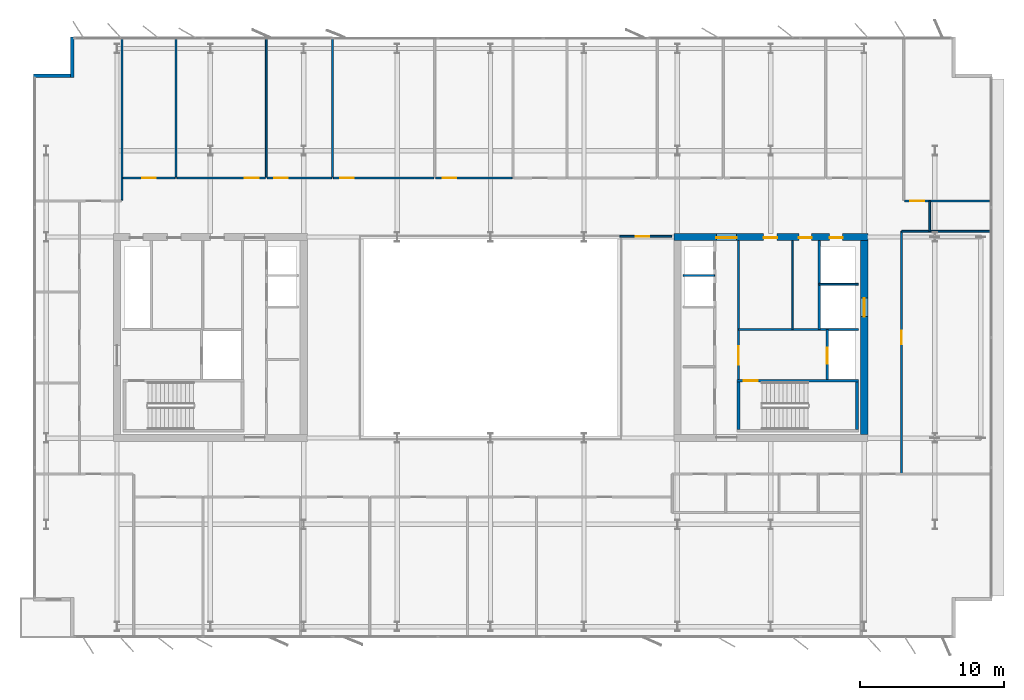
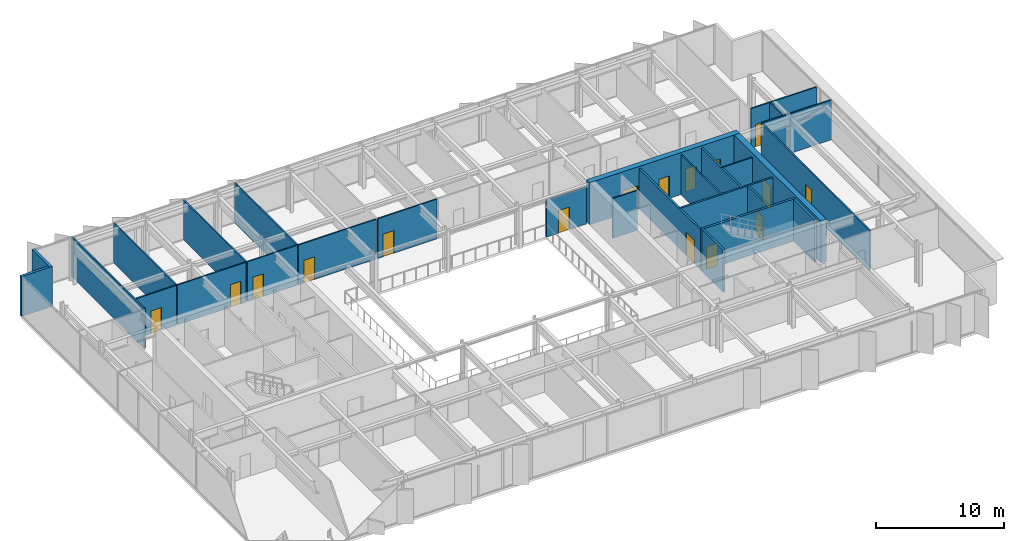
# One storey, part 15 of 20: 28 walls, 16 doors, 16 openings.
"""IFC4 building model written with IfcOpenShell, lengths in metres."""

from ifc_helpers import new_model, si_unit, direction, frame, frame_2d, origin, place, context, subcontext, project, spatial, rectangle, extrude, material, layer, layer_set, type_object, element, fill, save


model = new_model("IFC4")

# Units and contexts
model_context = context("Model", 3, precision=1e-05, world=origin(), true_north=direction((0.0, 1.0)))
body_context = subcontext(model_context, "Body", "Model", "MODEL_VIEW")
ifc_project = project(units=[si_unit("LENGTHUNIT", "METRE"), si_unit("AREAUNIT", "SQUARE_METRE"), si_unit("VOLUMEUNIT", "CUBIC_METRE"), si_unit("PLANEANGLEUNIT", "RADIAN"), si_unit("MASSUNIT", "GRAM", prefix="KILO")], contexts=[model_context])

# Site, building, storey
site_placement = place(None, origin())
site = spatial("IfcSite", under=ifc_project, at=site_placement, CompositionType="ELEMENT")
building_placement = place(site_placement, origin())
building = spatial("IfcBuilding", under=site, at=building_placement, Name="Putna Gate Headquarters", CompositionType="ELEMENT")
storey_placement = place(building_placement, frame((0.0, 0.0, 298.39990234375)))
storey = spatial("IfcBuildingStorey", under=building, at=storey_placement, Name="L75", CompositionType="ELEMENT", Elevation=298.39990234375)

# Wall, openings, doors
ifc_material_1 = material(Name="Concrete C50/60", Category="concrete")
ifc_layer_1 = layer(ifc_material_1, 0.5)
ifc_layer_set_1 = layer_set([ifc_layer_1], Name="Concrete C50/60")
wall_type_1 = type_object("IfcWallType", Name="WALL-CORE-500", PredefinedType="SHEAR", material=ifc_layer_set_1)
wall_1_placement = place(storey_placement, frame((51.75, 33.0, 0.0), z_axis=(0.0, 0.0, 1.0), x_axis=(1.0, 0.0, 0.0)))
wall_1 = element("IfcWall", 1, at=wall_1_placement, inside=storey, type_object=wall_type_1, Name="L75 EC Split Core Shear Wall N", PredefinedType="SHEAR", context=body_context, shape_type="SweptSolid", body=[
    extrude(rectangle(XDim=13.5, YDim=0.5, at=frame_2d((6.75, 0.0))), origin(), (0.0, 0.0, 1.0), 4.0),
])
opening_1_placement = place(wall_1_placement, frame((2.969970703125, 0.0, 0.0)))
opening_1 = element("IfcOpeningElement", 2, at=opening_1_placement, cuts=wall_1, Name="Opening FDD-140", PredefinedType="OPENING", context=body_context, shape_type="SweptSolid", body=[
    extrude(rectangle(XDim=1.39990234375, YDim=2.199951171875, at=frame_2d((0.699951171875, 1.10009765625))), frame((0.0, 0.260009765625, 0.0), z_axis=(0.0, -1.0, 0.0), x_axis=(1.0, 0.0, 0.0)), (0.0, 0.0, 1.0), 0.52001953125),
])
opening_2_placement = place(wall_1_placement, frame((10.85009765625, 0.0, 0.0)))
opening_2 = element("IfcOpeningElement", 3, at=opening_2_placement, cuts=wall_1, Name="Opening RD-90", PredefinedType="OPENING", context=body_context, shape_type="SweptSolid", body=[
    extrude(rectangle(XDim=0.89990234375, YDim=2.14990234375, at=frame_2d((0.449951171875, 1.074951171875))), frame((0.0, 0.260009765625, 0.0), z_axis=(0.0, -1.0, 0.0), x_axis=(1.0, 0.0, 0.0)), (0.0, 0.0, 1.0), 0.52001953125),
])
opening_3_placement = place(wall_1_placement, frame((6.25, 0.0, 0.0)))
opening_3 = element("IfcOpeningElement", 4, at=opening_3_placement, cuts=wall_1, Name="Opening IDS-95", PredefinedType="OPENING", context=body_context, shape_type="SweptSolid", body=[
    extrude(rectangle(XDim=0.949951171875, YDim=2.14990234375, at=frame_2d((0.47509765625, 1.074951171875))), frame((0.0, 0.260009765625, 0.0), z_axis=(0.0, -1.0, 0.0), x_axis=(1.0, 0.0, 0.0)), (0.0, 0.0, 1.0), 0.52001953125),
])
opening_4_placement = place(wall_1_placement, frame((8.699951171875, 0.0, 0.0)))
opening_4 = element("IfcOpeningElement", 5, at=opening_4_placement, cuts=wall_1, Name="Opening IDS-90", PredefinedType="OPENING", context=body_context, shape_type="SweptSolid", body=[
    extrude(rectangle(XDim=0.89990234375, YDim=2.14990234375, at=frame_2d((0.449951171875, 1.074951171875))), frame((0.0, 0.260009765625, 0.0), z_axis=(0.0, -1.0, 0.0), x_axis=(1.0, 0.0, 0.0)), (0.0, 0.0, 1.0), 0.52001953125),
])
ifc_material_2 = material(Name="Double steel fire door", Category="steel")
door_type_1 = type_object("IfcDoorType", Name="DOOR-FIRE-DBL-1400", OperationType="DOUBLE_DOOR_SINGLE_SWING", PredefinedType="DOOR", material=ifc_material_2)
door_1_placement = place(opening_1_placement, origin())
door_1 = element("IfcDoor", 6, at=door_1_placement, inside=storey, type_object=door_type_1, Name="L75 East Lift Lobby North Door", OperationType="DOUBLE_DOOR_SINGLE_SWING", OverallHeight=2.199951171875, OverallWidth=1.39990234375, PredefinedType="DOOR", context=body_context, shape_type="SweptSolid", body=[
    extrude(rectangle(XDim=1.39990234375, YDim=2.199951171875, at=frame_2d((0.699951171875, 1.10009765625))), frame((0.0, -0.02490234375, 0.0), z_axis=(0.0, -1.0, 0.0), x_axis=(1.0, 0.0, 0.0)), (0.0, 0.0, 1.0), 0.050048828125),
])
fill(opening_1, door_1)
ifc_material_3 = material(Name="Fire-rated utility door")
door_type_2 = type_object("IfcDoorType", Name="DOOR-INT-900", OperationType="NOTDEFINED", PredefinedType="DOOR", material=ifc_material_3)
door_2_placement = place(opening_4_placement, origin())
door_2 = element("IfcDoor", 7, at=door_2_placement, inside=storey, type_object=door_type_2, Name="L75 Electrical Plant Door", OperationType="SINGLE_SWING_LEFT", OverallHeight=2.14990234375, OverallWidth=0.89990234375, PredefinedType="DOOR", context=body_context, shape_type="SweptSolid", body=[
    extrude(rectangle(XDim=0.89990234375, YDim=2.14990234375, at=frame_2d((0.449951171875, 1.074951171875))), frame((0.0, -0.02490234375, 0.0), z_axis=(0.0, -1.0, 0.0), x_axis=(1.0, 0.0, 0.0)), (0.0, 0.0, 1.0), 0.050048828125),
])
fill(opening_4, door_2)
ifc_material_4 = material(Name="Fire-rated service timber door", Category="wood")
door_type_3 = type_object("IfcDoorType", Name="DOOR-INT-950", OperationType="NOTDEFINED", PredefinedType="DOOR", material=ifc_material_4)
door_3_placement = place(opening_3_placement, origin())
door_3 = element("IfcDoor", 8, at=door_3_placement, inside=storey, type_object=door_type_3, Name="L75 East Store Door", OperationType="SINGLE_SWING_RIGHT", OverallHeight=2.14990234375, OverallWidth=0.949951171875, PredefinedType="DOOR", context=body_context, shape_type="SweptSolid", body=[
    extrude(rectangle(XDim=0.949951171875, YDim=2.14990234375, at=frame_2d((0.47509765625, 1.074951171875))), frame((0.0, -0.02490234375, 0.0), z_axis=(0.0, -1.0, 0.0), x_axis=(1.0, 0.0, 0.0)), (0.0, 0.0, 1.0), 0.050048828125),
])
fill(opening_3, door_3)
ifc_material_5 = material(Name="Steel riser access fire door", Category="steel")
door_type_4 = type_object("IfcDoorType", Name="DOOR-RISER-900", OperationType="NOTDEFINED", PredefinedType="DOOR", material=ifc_material_5)
door_4_placement = place(opening_2_placement, origin())
door_4 = element("IfcDoor", 9, at=door_4_placement, inside=storey, type_object=door_type_4, Name="L75 East Riser Access Door", OperationType="SINGLE_SWING_LEFT", OverallHeight=2.14990234375, OverallWidth=0.89990234375, PredefinedType="DOOR", context=body_context, shape_type="SweptSolid", body=[
    extrude(rectangle(XDim=0.89990234375, YDim=2.14990234375, at=frame_2d((0.449951171875, 1.074951171875))), frame((0.0, -0.02490234375, 0.0), z_axis=(0.0, -1.0, 0.0), x_axis=(1.0, 0.0, 0.0)), (0.0, 0.0, 1.0), 0.050048828125),
])
fill(opening_2, door_4)

# Wall, opening, door
wall_2_placement = place(storey_placement, frame((65.0, 19.25, 0.0), z_axis=(0.0, 0.0, 1.0), x_axis=(0.0, 1.0, 0.0)))
wall_2 = element("IfcWall", 10, at=wall_2_placement, inside=storey, type_object=wall_type_1, Name="L75 EC Split Core Shear Wall E", PredefinedType="SHEAR", context=body_context, shape_type="SweptSolid", body=[
    extrude(rectangle(XDim=13.5, YDim=0.5, at=frame_2d((6.75, 0.0))), origin(), (0.0, 0.0, 1.0), 4.0),
])
opening_5_placement = place(wall_2_placement, frame((8.199951171875, 0.0, 0.0)))
opening_5 = element("IfcOpeningElement", 11, at=opening_5_placement, cuts=wall_2, Name="Opening LD-2", PredefinedType="OPENING", context=body_context, shape_type="SweptSolid", body=[
    extrude(rectangle(XDim=1.300048828125, YDim=2.199951171875, at=frame_2d((0.64990234375, 1.10009765625))), frame((0.0, 0.260009765625, 0.0), z_axis=(0.0, -1.0, 0.0), x_axis=(1.0, 0.0, 0.0)), (0.0, 0.0, 1.0), 0.52001953125),
])
ifc_material_6 = material(Name="Heavy-duty goods lift sliding landing door")
door_type_5 = type_object("IfcDoorType", Name="DOOR-LIFT-1300", OperationType="DOUBLE_DOOR_SLIDING", PredefinedType="DOOR", material=ifc_material_6)
door_5_placement = place(opening_5_placement, origin())
door_5 = element("IfcDoor", 12, at=door_5_placement, inside=storey, type_object=door_type_5, Name="L75 Goods Lift Landing Door LD-15", OperationType="DOUBLE_DOOR_SLIDING", OverallHeight=2.199951171875, OverallWidth=1.300048828125, PredefinedType="DOOR", context=body_context, shape_type="SweptSolid", body=[
    extrude(rectangle(XDim=1.300048828125, YDim=2.199951171875, at=frame_2d((0.64990234375, 1.10009765625))), frame((0.0, 0.02490234375, 0.0), z_axis=(0.0, -1.0, 0.0), x_axis=(1.0, 0.0, 0.0)), (0.0, 0.0, 1.0), 0.050048828125),
])
fill(opening_5, door_5)

# Walls
ifc_material_7 = material(Name="Precast concrete C40/50", Category="concrete")
ifc_layer_2 = layer(ifc_material_7, 0.239990234375)
ifc_layer_set_2 = layer_set([ifc_layer_2], Name="Precast concrete C40/50")
wall_type_2 = type_object("IfcWallType", Name="WALL-EXT-TERR-240", PredefinedType="STANDARD", material=ifc_layer_set_2)
wall_3_placement = place(storey_placement, frame((9.8798828125, 44.10009765625, 0.0), z_axis=(0.0, 0.0, 1.0), x_axis=(0.0, 1.0, 0.0)))
element("IfcWall", 13, at=wall_3_placement, inside=storey, type_object=wall_type_2, Name="L75 Corner Notch Return Wall NW-V", PredefinedType="STANDARD", context=body_context, shape_type="SweptSolid", body=[
    extrude(rectangle(XDim=2.7998046875, YDim=0.239990234375, at=frame_2d((1.39990234375, 0.0))), origin(), (0.0, 0.0, 1.0), 3.7880859375),
])
wall_4_placement = place(storey_placement, frame((7.199951171875, 44.219970703125, 0.0), z_axis=(0.0, 0.0, 1.0), x_axis=(1.0, 0.0, 0.0)))
element("IfcWall", 14, at=wall_4_placement, inside=storey, type_object=wall_type_2, Name="L75 Corner Notch Return Wall NW-H", PredefinedType="STANDARD", context=body_context, shape_type="SweptSolid", body=[
    extrude(rectangle(XDim=2.800048828125, YDim=0.239990234375, at=frame_2d((1.39990234375, 0.0))), origin(), (0.0, 0.0, 1.0), 3.7880859375),
])

# Wall, opening, door
ifc_material_8 = material(Name="Acoustic gypsum board on metal stud")
ifc_layer_3 = layer(ifc_material_8, 0.1201171875)
ifc_layer_set_3 = layer_set([ifc_layer_3], Name="Acoustic gypsum board on metal stud")
wall_type_3 = type_object("IfcWallType", Name="WALL-PART-120", PredefinedType="PARTITIONING", material=ifc_layer_set_3)
wall_5_placement = place(storey_placement, frame((48.0, 33.0400390625, 0.0), z_axis=(0.0, 0.0, 1.0), x_axis=(1.0, 0.0, 0.0)))
wall_5 = element("IfcWall", 15, at=wall_5_placement, inside=storey, type_object=wall_type_3, Name="L75 Interior Wall PART-L75-ATR-E-N", PredefinedType="PARTITIONING", context=body_context, shape_type="SweptSolid", body=[
    extrude(rectangle(XDim=3.60009765625, YDim=0.1201171875, at=frame_2d((1.800048828125, 0.0))), origin(), (0.0, 0.0, 1.0), 3.528076171875),
])
opening_6_placement = place(wall_5_placement, frame((1.10009765625, 0.0, 0.0)))
opening_6 = element("IfcOpeningElement", 16, at=opening_6_placement, cuts=wall_5, Name="Opening ID-95", PredefinedType="OPENING", context=body_context, shape_type="SweptSolid", body=[
    extrude(rectangle(XDim=0.949951171875, YDim=2.14990234375, at=frame_2d((0.47509765625, 1.074951171875))), frame((0.0, 0.070068359375, 0.0), z_axis=(0.0, -1.0, 0.0), x_axis=(1.0, 0.0, 0.0)), (0.0, 0.0, 1.0), 0.14013671875),
])
ifc_material_9 = material(Name="Veneered acoustic timber door", Category="wood")
door_type_6 = type_object("IfcDoorType", Name="DOOR-OFF-950", OperationType="NOTDEFINED", PredefinedType="DOOR", material=ifc_material_9)
door_6_placement = place(opening_6_placement, origin())
door_6 = element("IfcDoor", 17, at=door_6_placement, inside=storey, type_object=door_type_6, Name="L75 East Sky Atrium Lounge Door", OperationType="SINGLE_SWING_LEFT", OverallHeight=2.14990234375, OverallWidth=0.949951171875, PredefinedType="DOOR", context=body_context, shape_type="SweptSolid", body=[
    extrude(rectangle(XDim=0.949951171875, YDim=2.14990234375, at=frame_2d((0.47509765625, 1.074951171875))), frame((0.0, 0.02490234375, 0.0), z_axis=(0.0, -1.0, 0.0), x_axis=(1.0, 0.0, 0.0)), (0.0, 0.0, 1.0), 0.050048828125),
])
fill(opening_6, door_6)

# Walls
wall_6_placement = place(storey_placement, frame((13.3515625, 35.56005859375, 0.0), z_axis=(0.0, 0.0, 1.0), x_axis=(0.0, 1.0, 0.0)))
element("IfcWall", 18, at=wall_6_placement, inside=storey, type_object=wall_type_3, Name="L75 Interior Wall PART-L75-NB-DIV-01", PredefinedType="PARTITIONING", context=body_context, shape_type="SweptSolid", body=[
    extrude(rectangle(XDim=11.31982421875, YDim=0.1201171875, at=frame_2d((5.659912109375, 0.0))), origin(), (0.0, 0.0, 1.0), 3.7880859375),
])
for number, where, z_axis, x_axis, name in (
    (19, (17.11376953125, 37.159912109375, 0.0), (0.0, 0.0, 1.0), (0.0, 1.0, 0.0), "L75 Interior Wall PART-L75-NB-DIV-02"),
    (20, (23.390380859375, 37.159912109375, 0.0), (0.0, 0.0, 1.0), (0.0, 1.0, 0.0), "L75 Interior Wall PART-L75-NB-DIV-03"),
    (21, (27.995361328125, 37.159912109375, 0.0), (0.0, 0.0, 1.0), (0.0, 1.0, 0.0), "L75 Interior Wall PART-L75-NB-DIV-04"),
):
    element("IfcWall", number, at=place(storey_placement, frame(where, z_axis=z_axis, x_axis=x_axis)), inside=storey, type_object=wall_type_3, Name=name, PredefinedType="PARTITIONING", context=body_context, shape_type="SweptSolid", body=[
        extrude(rectangle(XDim=9.719970703125, YDim=0.1201171875, at=frame_2d((4.85986328125, 0.0))), origin(), (0.0, 0.0, 1.0), 3.7880859375),
    ])
ifc_material_10 = material(Name="Fire-rated shaftwall gypsum board on metal stud")
ifc_layer_4 = layer(ifc_material_10, 0.1201171875)
ifc_layer_set_4 = layer_set([ifc_layer_4], Name="Fire-rated shaftwall gypsum board on metal stud")
wall_type_4 = type_object("IfcWallType", Name="WALL-PART-120-EI120", PredefinedType="PARTITIONING", material=ifc_layer_set_4)
wall_7_placement = place(storey_placement, frame((52.39990234375, 30.31005859375, 0.0), z_axis=(0.0, 0.0, 1.0), x_axis=(1.0, 0.0, 0.0)))
element("IfcWall", 22, at=wall_7_placement, inside=storey, type_object=wall_type_4, Name="L75 Interior Wall CWINT-L75-EC-LF11-DIV", PredefinedType="PARTITIONING", context=body_context, shape_type="SweptSolid", body=[
    extrude(rectangle(XDim=2.2001953125, YDim=0.1201171875, at=frame_2d((1.10009765625, 0.0))), origin(), (0.0, 0.0, 1.0), 3.7880859375),
])
wall_8_placement = place(storey_placement, frame((61.8701171875, 29.699951171875, 0.0), z_axis=(0.0, 0.0, 1.0), x_axis=(1.0, 0.0, 0.0)))
element("IfcWall", 23, at=wall_8_placement, inside=storey, type_object=wall_type_4, Name="L75 Interior Wall CWINT-L75-EC-LF15-N", PredefinedType="PARTITIONING", context=body_context, shape_type="SweptSolid", body=[
    extrude(rectangle(XDim=2.72998046875, YDim=0.1201171875, at=frame_2d((1.364990234375, 0.0))), origin(), (0.0, 0.0, 1.0), 3.7880859375),
])
ifc_material_11 = material(Name="Fire-rated gypsum board on metal stud")
ifc_layer_5 = layer(ifc_material_11, 0.1201171875)
ifc_layer_set_5 = layer_set([ifc_layer_5], Name="Fire-rated gypsum board on metal stud")
wall_type_5 = type_object("IfcWallType", Name="WALL-PART-120-RATED", PredefinedType="PARTITIONING", material=ifc_layer_set_5)
wall_9_placement = place(storey_placement, frame((60.02001953125, 26.56005859375, 0.0), z_axis=(0.0, 0.0, 1.0), x_axis=(0.0, 1.0, 0.0)))
element("IfcWall", 24, at=wall_9_placement, inside=storey, type_object=wall_type_5, Name="L75 Interior Wall CWINT-L75-EC-K0-DIV", PredefinedType="PARTITIONING", context=body_context, shape_type="SweptSolid", body=[
    extrude(rectangle(XDim=6.18994140625, YDim=0.1201171875, at=frame_2d((3.094970703125, 0.0))), origin(), (0.0, 0.0, 1.0), 3.7880859375),
])
wall_10_placement = place(storey_placement, frame((69.559326171875, 33.39990234375, 0.0), z_axis=(0.0, 0.0, 1.0), x_axis=(0.0, 1.0, 0.0)))
element("IfcWall", 25, at=wall_10_placement, inside=storey, type_object=wall_type_5, Name="L75 Interior Wall PART-L75-CORRN-CAPE", PredefinedType="PARTITIONING", context=body_context, shape_type="SweptSolid", body=[
    extrude(rectangle(XDim=2.10009765625, YDim=0.1201171875, at=frame_2d((1.050048828125, 0.0))), origin(), (0.0, 0.0, 1.0), 3.7880859375),
])

# Wall, opening, door
wall_11_placement = place(storey_placement, frame((13.41162109375, 37.10009765625, 0.0), z_axis=(0.0, 0.0, 1.0), x_axis=(1.0, 0.0, 0.0)))
wall_11 = element("IfcWall", 26, at=wall_11_placement, inside=storey, type_object=wall_type_5, Name="L75 Interior Wall PART-L75-NB-CW-02", PredefinedType="PARTITIONING", context=body_context, shape_type="SweptSolid", body=[
    extrude(rectangle(XDim=3.64208984375, YDim=0.1201171875, at=frame_2d((1.821044921875, 0.0))), origin(), (0.0, 0.0, 1.0), 3.7880859375),
])
opening_7_placement = place(wall_11_placement, frame((1.34619140625, 0.0, 0.0)))
opening_7 = element("IfcOpeningElement", 27, at=opening_7_placement, cuts=wall_11, Name="Opening FD-95", PredefinedType="OPENING", context=body_context, shape_type="SweptSolid", body=[
    extrude(rectangle(XDim=0.949951171875, YDim=2.14990234375, at=frame_2d((0.47509765625, 1.074951171875))), frame((0.0, 0.070068359375, 0.0), z_axis=(0.0, -1.0, 0.0), x_axis=(1.0, 0.0, 0.0)), (0.0, 0.0, 1.0), 0.14013671875),
])
ifc_material_12 = material(Name="Acoustic timber fire door", Category="wood")
door_type_7 = type_object("IfcDoorType", Name="DOOR-FIRE-950", OperationType="NOTDEFINED", PredefinedType="DOOR", material=ifc_material_12)
door_7_placement = place(opening_7_placement, origin())
door_7 = element("IfcDoor", 28, at=door_7_placement, inside=storey, type_object=door_type_7, Name="L75 Collaborative Breakout Lounge 3 Door", OperationType="SINGLE_SWING_LEFT", OverallHeight=2.14990234375, OverallWidth=0.949951171875, PredefinedType="DOOR", context=body_context, shape_type="SweptSolid", body=[
    extrude(rectangle(XDim=0.949951171875, YDim=2.14990234375, at=frame_2d((0.47509765625, 1.074951171875))), frame((0.0, 0.02490234375, 0.0), z_axis=(0.0, -1.0, 0.0), x_axis=(1.0, 0.0, 0.0)), (0.0, 0.0, 1.0), 0.050048828125),
])
fill(opening_7, door_7)

wall_12_placement = place(storey_placement, frame((17.173583984375, 37.10009765625, 0.0), z_axis=(0.0, 0.0, 1.0), x_axis=(1.0, 0.0, 0.0)))
wall_12 = element("IfcWall", 29, at=wall_12_placement, inside=storey, type_object=wall_type_5, Name="L75 Interior Wall PART-L75-NB-CW-03", PredefinedType="PARTITIONING", context=body_context, shape_type="SweptSolid", body=[
    extrude(rectangle(XDim=6.156982421875, YDim=0.1201171875, at=frame_2d((3.07861328125, 0.0))), origin(), (0.0, 0.0, 1.0), 3.7880859375),
])
opening_8_placement = place(wall_12_placement, frame((4.726806640625, 0.0, 0.0)))
opening_8 = element("IfcOpeningElement", 30, at=opening_8_placement, cuts=wall_12, Name="Opening FD-95", PredefinedType="OPENING", context=body_context, shape_type="SweptSolid", body=[
    extrude(rectangle(XDim=0.949951171875, YDim=2.14990234375, at=frame_2d((0.47509765625, 1.074951171875))), frame((0.0, 0.070068359375, 0.0), z_axis=(0.0, -1.0, 0.0), x_axis=(1.0, 0.0, 0.0)), (0.0, 0.0, 1.0), 0.14013671875),
])
door_8_placement = place(opening_8_placement, origin())
door_8 = element("IfcDoor", 31, at=door_8_placement, inside=storey, type_object=door_type_7, Name="L75 Quiet Wellness Focus Studio 1 Door", OperationType="SINGLE_SWING_RIGHT", OverallHeight=2.14990234375, OverallWidth=0.949951171875, PredefinedType="DOOR", context=body_context, shape_type="SweptSolid", body=[
    extrude(rectangle(XDim=0.949951171875, YDim=2.14990234375, at=frame_2d((0.47509765625, 1.074951171875))), frame((0.0, 0.02490234375, 0.0), z_axis=(0.0, -1.0, 0.0), x_axis=(1.0, 0.0, 0.0)), (0.0, 0.0, 1.0), 0.050048828125),
])
fill(opening_8, door_8)

wall_13_placement = place(storey_placement, frame((23.450439453125, 37.10009765625, 0.0), z_axis=(0.0, 0.0, 1.0), x_axis=(1.0, 0.0, 0.0)))
wall_13 = element("IfcWall", 32, at=wall_13_placement, inside=storey, type_object=wall_type_5, Name="L75 Interior Wall PART-L75-NB-CW-04", PredefinedType="PARTITIONING", context=body_context, shape_type="SweptSolid", body=[
    extrude(rectangle(XDim=4.48486328125, YDim=0.1201171875, at=frame_2d((2.242431640625, 0.0))), origin(), (0.0, 0.0, 1.0), 3.7880859375),
])
opening_9_placement = place(wall_13_placement, frame((0.47998046875, 0.0, 0.0)))
opening_9 = element("IfcOpeningElement", 33, at=opening_9_placement, cuts=wall_13, Name="Opening FD-95", PredefinedType="OPENING", context=body_context, shape_type="SweptSolid", body=[
    extrude(rectangle(XDim=0.949951171875, YDim=2.14990234375, at=frame_2d((0.47509765625, 1.074951171875))), frame((0.0, 0.070068359375, 0.0), z_axis=(0.0, -1.0, 0.0), x_axis=(1.0, 0.0, 0.0)), (0.0, 0.0, 1.0), 0.14013671875),
])
door_9_placement = place(opening_9_placement, origin())
door_9 = element("IfcDoor", 34, at=door_9_placement, inside=storey, type_object=door_type_7, Name="L75 Quiet Wellness Focus Studio 2 Door", OperationType="SINGLE_SWING_LEFT", OverallHeight=2.14990234375, OverallWidth=0.949951171875, PredefinedType="DOOR", context=body_context, shape_type="SweptSolid", body=[
    extrude(rectangle(XDim=0.949951171875, YDim=2.14990234375, at=frame_2d((0.47509765625, 1.074951171875))), frame((0.0, 0.02490234375, 0.0), z_axis=(0.0, -1.0, 0.0), x_axis=(1.0, 0.0, 0.0)), (0.0, 0.0, 1.0), 0.050048828125),
])
fill(opening_9, door_9)

wall_14_placement = place(storey_placement, frame((28.055419921875, 37.10009765625, 0.0), z_axis=(0.0, 0.0, 1.0), x_axis=(1.0, 0.0, 0.0)))
wall_14 = element("IfcWall", 35, at=wall_14_placement, inside=storey, type_object=wall_type_5, Name="L75 Interior Wall PART-L75-NB-CW-05", PredefinedType="PARTITIONING", context=body_context, shape_type="SweptSolid", body=[
    extrude(rectangle(XDim=6.999267578125, YDim=0.1201171875, at=frame_2d((3.49951171875, 0.0))), origin(), (0.0, 0.0, 1.0), 3.7880859375),
])
opening_10_placement = place(wall_14_placement, frame((0.47998046875, 0.0, 0.0)))
opening_10 = element("IfcOpeningElement", 36, at=opening_10_placement, cuts=wall_14, Name="Opening FD-95", PredefinedType="OPENING", context=body_context, shape_type="SweptSolid", body=[
    extrude(rectangle(XDim=0.949951171875, YDim=2.14990234375, at=frame_2d((0.47509765625, 1.074951171875))), frame((0.0, 0.070068359375, 0.0), z_axis=(0.0, -1.0, 0.0), x_axis=(1.0, 0.0, 0.0)), (0.0, 0.0, 1.0), 0.14013671875),
])
door_10_placement = place(opening_10_placement, origin())
door_10 = element("IfcDoor", 37, at=door_10_placement, inside=storey, type_object=door_type_7, Name="L75 Cellular Office 1 Door", OperationType="SINGLE_SWING_RIGHT", OverallHeight=2.14990234375, OverallWidth=0.949951171875, PredefinedType="DOOR", context=body_context, shape_type="SweptSolid", body=[
    extrude(rectangle(XDim=0.949951171875, YDim=2.14990234375, at=frame_2d((0.47509765625, 1.074951171875))), frame((0.0, 0.02490234375, 0.0), z_axis=(0.0, -1.0, 0.0), x_axis=(1.0, 0.0, 0.0)), (0.0, 0.0, 1.0), 0.050048828125),
])
fill(opening_10, door_10)

wall_15_placement = place(storey_placement, frame((35.1748046875, 37.10009765625, 0.0), z_axis=(0.0, 0.0, 1.0), x_axis=(1.0, 0.0, 0.0)))
wall_15 = element("IfcWall", 38, at=wall_15_placement, inside=storey, type_object=wall_type_5, Name="L75 Interior Wall PART-L75-NB-CW-06", PredefinedType="PARTITIONING", context=body_context, shape_type="SweptSolid", body=[
    extrude(rectangle(XDim=5.32080078125, YDim=0.1201171875, at=frame_2d((2.660400390625, 0.0))), origin(), (0.0, 0.0, 1.0), 3.7880859375),
])
opening_11_placement = place(wall_15_placement, frame((0.47998046875, 0.0, 0.0)))
opening_11 = element("IfcOpeningElement", 39, at=opening_11_placement, cuts=wall_15, Name="Opening FD-95", PredefinedType="OPENING", context=body_context, shape_type="SweptSolid", body=[
    extrude(rectangle(XDim=0.949951171875, YDim=2.14990234375, at=frame_2d((0.47509765625, 1.074951171875))), frame((0.0, 0.070068359375, 0.0), z_axis=(0.0, -1.0, 0.0), x_axis=(1.0, 0.0, 0.0)), (0.0, 0.0, 1.0), 0.14013671875),
])
door_11_placement = place(opening_11_placement, origin())
door_11 = element("IfcDoor", 40, at=door_11_placement, inside=storey, type_object=door_type_7, Name="L75 Cellular Office 2 Door", OperationType="SINGLE_SWING_LEFT", OverallHeight=2.14990234375, OverallWidth=0.949951171875, PredefinedType="DOOR", context=body_context, shape_type="SweptSolid", body=[
    extrude(rectangle(XDim=0.949951171875, YDim=2.14990234375, at=frame_2d((0.47509765625, 1.074951171875))), frame((0.0, 0.02490234375, 0.0), z_axis=(0.0, -1.0, 0.0), x_axis=(1.0, 0.0, 0.0)), (0.0, 0.0, 1.0), 0.050048828125),
])
fill(opening_11, door_11)

wall_16_placement = place(storey_placement, frame((67.8193359375, 35.5, 0.0), z_axis=(0.0, 0.0, 1.0), x_axis=(1.0, 0.0, 0.0)))
wall_16 = element("IfcWall", 41, at=wall_16_placement, inside=storey, type_object=wall_type_5, Name="L75 Interior Wall PART-L75-NB-CW-12", PredefinedType="PARTITIONING", context=body_context, shape_type="SweptSolid", body=[
    extrude(rectangle(XDim=5.91162109375, YDim=0.1201171875, at=frame_2d((2.955810546875, 0.0))), origin(), (0.0, 0.0, 1.0), 3.7880859375),
])
opening_12_placement = place(wall_16_placement, frame((0.39501953125, 0.0, 0.0)))
opening_12 = element("IfcOpeningElement", 42, at=opening_12_placement, cuts=wall_16, Name="Opening FD-95", PredefinedType="OPENING", context=body_context, shape_type="SweptSolid", body=[
    extrude(rectangle(XDim=0.949951171875, YDim=2.14990234375, at=frame_2d((0.47509765625, 1.074951171875))), frame((0.0, 0.070068359375, 0.0), z_axis=(0.0, -1.0, 0.0), x_axis=(1.0, 0.0, 0.0)), (0.0, 0.0, 1.0), 0.14013671875),
])
door_12_placement = place(opening_12_placement, origin())
door_12 = element("IfcDoor", 43, at=door_12_placement, inside=storey, type_object=door_type_7, Name="L75 Conference Meeting Room 7 Door", OperationType="SINGLE_SWING_LEFT", OverallHeight=2.14990234375, OverallWidth=0.949951171875, PredefinedType="DOOR", context=body_context, shape_type="SweptSolid", body=[
    extrude(rectangle(XDim=0.949951171875, YDim=2.14990234375, at=frame_2d((0.47509765625, 1.074951171875))), frame((0.0, 0.02490234375, 0.0), z_axis=(0.0, -1.0, 0.0), x_axis=(1.0, 0.0, 0.0)), (0.0, 0.0, 1.0), 0.050048828125),
])
fill(opening_12, door_12)

# Wall
wall_17_placement = place(storey_placement, frame((67.60009765625, 33.39990234375, 0.0), z_axis=(0.0, 0.0, 1.0), x_axis=(1.0, 0.0, 0.0)))
element("IfcWall", 44, at=wall_17_placement, inside=storey, type_object=wall_type_5, Name="L75 Interior Wall PART-L75-EW-N-BOUND", PredefinedType="PARTITIONING", context=body_context, shape_type="SweptSolid", body=[
    extrude(rectangle(XDim=6.291015625, YDim=0.1201171875, at=frame_2d((3.1455078125, 0.0))), origin(), (0.0, 0.0, 1.0), 3.7880859375),
])

# Wall, opening, door
wall_18_placement = place(storey_placement, frame((67.60009765625, 16.5, 0.0), z_axis=(0.0, 0.0, 1.0), x_axis=(0.0, 1.0, 0.0)))
wall_18 = element("IfcWall", 45, at=wall_18_placement, inside=storey, type_object=wall_type_5, Name="L75 Interior Wall PART-L75-EW-CW-1", PredefinedType="PARTITIONING", context=body_context, shape_type="SweptSolid", body=[
    extrude(rectangle(XDim=16.89990234375, YDim=0.1201171875, at=frame_2d((8.449951171875, 0.0))), origin(), (0.0, 0.0, 1.0), 3.7880859375),
])
opening_13_placement = place(wall_18_placement, frame((9.02490234375, 0.0, 0.0)))
opening_13 = element("IfcOpeningElement", 46, at=opening_13_placement, cuts=wall_18, Name="Opening FD-95", PredefinedType="OPENING", context=body_context, shape_type="SweptSolid", body=[
    extrude(rectangle(XDim=0.949951171875, YDim=2.14990234375, at=frame_2d((0.47509765625, 1.074951171875))), frame((0.0, 0.070068359375, 0.0), z_axis=(0.0, -1.0, 0.0), x_axis=(1.0, 0.0, 0.0)), (0.0, 0.0, 1.0), 0.14013671875),
])
door_13_placement = place(opening_13_placement, origin())
door_13 = element("IfcDoor", 47, at=door_13_placement, inside=storey, type_object=door_type_7, Name="L75 East Advisory Office 1 Door", OperationType="SINGLE_SWING_LEFT", OverallHeight=2.14990234375, OverallWidth=0.949951171875, PredefinedType="DOOR", context=body_context, shape_type="SweptSolid", body=[
    extrude(rectangle(XDim=0.949951171875, YDim=2.14990234375, at=frame_2d((0.47509765625, 1.074951171875))), frame((0.0, 0.02490234375, 0.0), z_axis=(0.0, -1.0, 0.0), x_axis=(1.0, 0.0, 0.0)), (0.0, 0.0, 1.0), 0.050048828125),
])
fill(opening_13, door_13)

ifc_material_13 = material(Name="Concrete C40/50", Category="concrete")
ifc_layer_6 = layer(ifc_material_13, 0.159912109375)
ifc_layer_set_6 = layer_set([ifc_layer_6], Name="Concrete C40/50")
wall_type_6 = type_object("IfcWallType", Name="WALL-SHAFT-160", PredefinedType="STANDARD", material=ifc_layer_set_6)
wall_19_placement = place(storey_placement, frame((56.260009765625, 23.090087890625, 0.0), z_axis=(0.0, 0.0, 1.0), x_axis=(0.0, 1.0, 0.0)))
wall_19 = element("IfcWall", 48, at=wall_19_placement, inside=storey, type_object=wall_type_6, Name="L75 Interior Wall CWINT-L75-EC-LOB-E", PredefinedType="STANDARD", context=body_context, shape_type="SweptSolid", body=[
    extrude(rectangle(XDim=9.659912109375, YDim=0.159912109375, at=frame_2d((4.830078125, 0.0))), origin(), (0.0, 0.0, 1.0), 3.7880859375),
])
opening_14_placement = place(wall_19_placement, frame((1.010009765625, 0.0, 0.0)))
opening_14 = element("IfcOpeningElement", 49, at=opening_14_placement, cuts=wall_19, Name="Opening FDD-130", PredefinedType="OPENING", context=body_context, shape_type="SweptSolid", body=[
    extrude(rectangle(XDim=1.300048828125, YDim=2.199951171875, at=frame_2d((0.64990234375, 1.10009765625))), frame((0.0, 0.08984375, 0.0), z_axis=(0.0, -1.0, 0.0), x_axis=(1.0, 0.0, 0.0)), (0.0, 0.0, 1.0), 0.179931640625),
])
ifc_material_14 = material(Name="Double steel lobby fire door", Category="steel")
door_type_8 = type_object("IfcDoorType", Name="DOOR-FIRE-DBL-1300", OperationType="DOUBLE_DOOR_SINGLE_SWING", PredefinedType="DOOR", material=ifc_material_14)
door_14_placement = place(opening_14_placement, origin())
door_14 = element("IfcDoor", 50, at=door_14_placement, inside=storey, type_object=door_type_8, Name="L75 East Firefighting Lobby Door", OperationType="DOUBLE_DOOR_SINGLE_SWING", OverallHeight=2.199951171875, OverallWidth=1.300048828125, PredefinedType="DOOR", context=body_context, shape_type="SweptSolid", body=[
    extrude(rectangle(XDim=1.300048828125, YDim=2.199951171875, at=frame_2d((0.64990234375, 1.10009765625))), frame((0.0, 0.02490234375, 0.0), z_axis=(0.0, -1.0, 0.0), x_axis=(1.0, 0.0, 0.0)), (0.0, 0.0, 1.0), 0.050048828125),
])
fill(opening_14, door_14)

wall_20_placement = place(storey_placement, frame((62.429931640625, 23.090087890625, 0.0), z_axis=(0.0, 0.0, 1.0), x_axis=(0.0, 1.0, 0.0)))
wall_20 = element("IfcWall", 51, at=wall_20_placement, inside=storey, type_object=wall_type_6, Name="L75 Interior Wall CWINT-L75-EC-LF14-W", PredefinedType="STANDARD", context=body_context, shape_type="SweptSolid", body=[
    extrude(rectangle(XDim=3.469970703125, YDim=0.159912109375, at=frame_2d((1.73486328125, 0.0))), origin(), (0.0, 0.0, 1.0), 3.7880859375),
])
opening_15_placement = place(wall_20_placement, frame((1.10009765625, 0.0, 0.0)))
opening_15 = element("IfcOpeningElement", 52, at=opening_15_placement, cuts=wall_20, Name="Opening LD-1", PredefinedType="OPENING", context=body_context, shape_type="SweptSolid", body=[
    extrude(rectangle(XDim=1.10009765625, YDim=2.199951171875, at=frame_2d((0.550048828125, 1.10009765625))), frame((0.0, 0.08984375, 0.0), z_axis=(0.0, -1.0, 0.0), x_axis=(1.0, 0.0, 0.0)), (0.0, 0.0, 1.0), 0.179931640625),
])
ifc_material_15 = material(Name="Brushed bronze stainless lift landing door")
door_type_9 = type_object("IfcDoorType", Name="DOOR-LIFT-1100", OperationType="DOUBLE_DOOR_SLIDING", PredefinedType="DOOR", material=ifc_material_15)
door_15_placement = place(opening_15_placement, origin())
door_15 = element("IfcDoor", 53, at=door_15_placement, inside=storey, type_object=door_type_9, Name="L75 Lift Landing Door LD-14", OperationType="DOUBLE_DOOR_SLIDING", OverallHeight=2.199951171875, OverallWidth=1.10009765625, PredefinedType="DOOR", context=body_context, shape_type="SweptSolid", body=[
    extrude(rectangle(XDim=1.10009765625, YDim=2.199951171875, at=frame_2d((0.550048828125, 1.10009765625))), frame((0.0, 0.02490234375, 0.0), z_axis=(0.0, -1.0, 0.0), x_axis=(1.0, 0.0, 0.0)), (0.0, 0.0, 1.0), 0.050048828125),
])
fill(opening_15, door_15)

# Walls
wall_21_placement = place(storey_placement, frame((56.260009765625, 26.56005859375, 0.0), z_axis=(0.0, 0.0, 1.0), x_axis=(1.0, 0.0, 0.0)))
element("IfcWall", 54, at=wall_21_placement, inside=storey, type_object=wall_type_6, Name="L75 Interior Wall CWINT-L75-EC-FFL-N", PredefinedType="STANDARD", context=body_context, shape_type="SweptSolid", body=[
    extrude(rectangle(XDim=8.340087890625, YDim=0.159912109375, at=frame_2d((4.169921875, 0.0))), origin(), (0.0, 0.0, 1.0), 3.7880859375),
])
wall_22_placement = place(storey_placement, frame((61.8701171875, 26.56005859375, 0.0), z_axis=(0.0, 0.0, 1.0), x_axis=(0.0, 1.0, 0.0)))
element("IfcWall", 55, at=wall_22_placement, inside=storey, type_object=wall_type_6, Name="L75 Interior Wall CWINT-L75-EC-LF15-W", PredefinedType="STANDARD", context=body_context, shape_type="SweptSolid", body=[
    extrude(rectangle(XDim=6.18994140625, YDim=0.159912109375, at=frame_2d((3.094970703125, 0.0))), origin(), (0.0, 0.0, 1.0), 3.7880859375),
])

# Wall, opening, door
ifc_layer_7 = layer(ifc_material_13, 0.199951171875)
ifc_layer_set_7 = layer_set([ifc_layer_7], Name="Concrete C40/50")
wall_type_7 = type_object("IfcWallType", Name="WALL-SHAFT-RC200", PredefinedType="SHEAR", material=ifc_layer_set_7)
wall_23_placement = place(storey_placement, frame((56.159912109375, 22.989990234375, 0.0), z_axis=(0.0, 0.0, 1.0), x_axis=(1.0, 0.0, 0.0)))
wall_23 = element("IfcWall", 56, at=wall_23_placement, inside=storey, type_object=wall_type_7, Name="L75 Stair ST2 Structural Shaft Wall N", PredefinedType="SHEAR", context=body_context, shape_type="SweptSolid", body=[
    extrude(rectangle(XDim=8.43017578125, YDim=0.199951171875, at=frame_2d((4.215087890625, 0.0))), origin(), (0.0, 0.0, 1.0), 4.0),
])
opening_16_placement = place(wall_23_placement, frame((0.449951171875, 0.0, 0.0)))
opening_16 = element("IfcOpeningElement", 57, at=opening_16_placement, cuts=wall_23, Name="Opening FD-100", PredefinedType="OPENING", context=body_context, shape_type="SweptSolid", body=[
    extrude(rectangle(XDim=1.0, YDim=2.14990234375, at=frame_2d((0.5, 1.074951171875))), frame((0.0, 0.10986328125, 0.0), z_axis=(0.0, -1.0, 0.0), x_axis=(1.0, 0.0, 0.0)), (0.0, 0.0, 1.0), 0.219970703125),
])
ifc_material_16 = material(Name="Powder-coated steel fire door", Category="steel")
door_type_10 = type_object("IfcDoorType", Name="DOOR-FIRE-1000", OperationType="NOTDEFINED", PredefinedType="DOOR", material=ifc_material_16)
door_16_placement = place(opening_16_placement, origin())
door_16 = element("IfcDoor", 58, at=door_16_placement, inside=storey, type_object=door_type_10, Name="L75 Stair ST2 Fire Door", OperationType="SINGLE_SWING_RIGHT", OverallHeight=2.14990234375, OverallWidth=1.0, PredefinedType="DOOR", context=body_context, shape_type="SweptSolid", body=[
    extrude(rectangle(XDim=1.0, YDim=2.14990234375, at=frame_2d((0.5, 1.074951171875))), frame((0.0, 0.02490234375, 0.0), z_axis=(0.0, -1.0, 0.0), x_axis=(1.0, 0.0, 0.0)), (0.0, 0.0, 1.0), 0.050048828125),
])
fill(opening_16, door_16)

# Walls
for number, where, z_axis, x_axis, name in (
    (59, (56.260009765625, 19.610107421875, 0.0), (0.0, 0.0, 1.0), (0.0, 1.0, 0.0), "L75 Stair ST2 Structural Shaft Wall W"),
    (60, (64.489990234375, 19.610107421875, 0.0), (0.0, 0.0, 1.0), (0.0, 1.0, 0.0), "L75 Stair ST2 Structural Shaft Wall E"),
):
    element("IfcWall", number, at=place(storey_placement, frame(where, z_axis=z_axis, x_axis=x_axis)), inside=storey, type_object=wall_type_7, Name=name, PredefinedType="SHEAR", context=body_context, shape_type="SweptSolid", body=[
        extrude(rectangle(XDim=3.27978515625, YDim=0.199951171875, at=frame_2d((1.639892578125, 0.0))), origin(), (0.0, 0.0, 1.0), 4.0),
    ])

save(model, "model.ifc")
